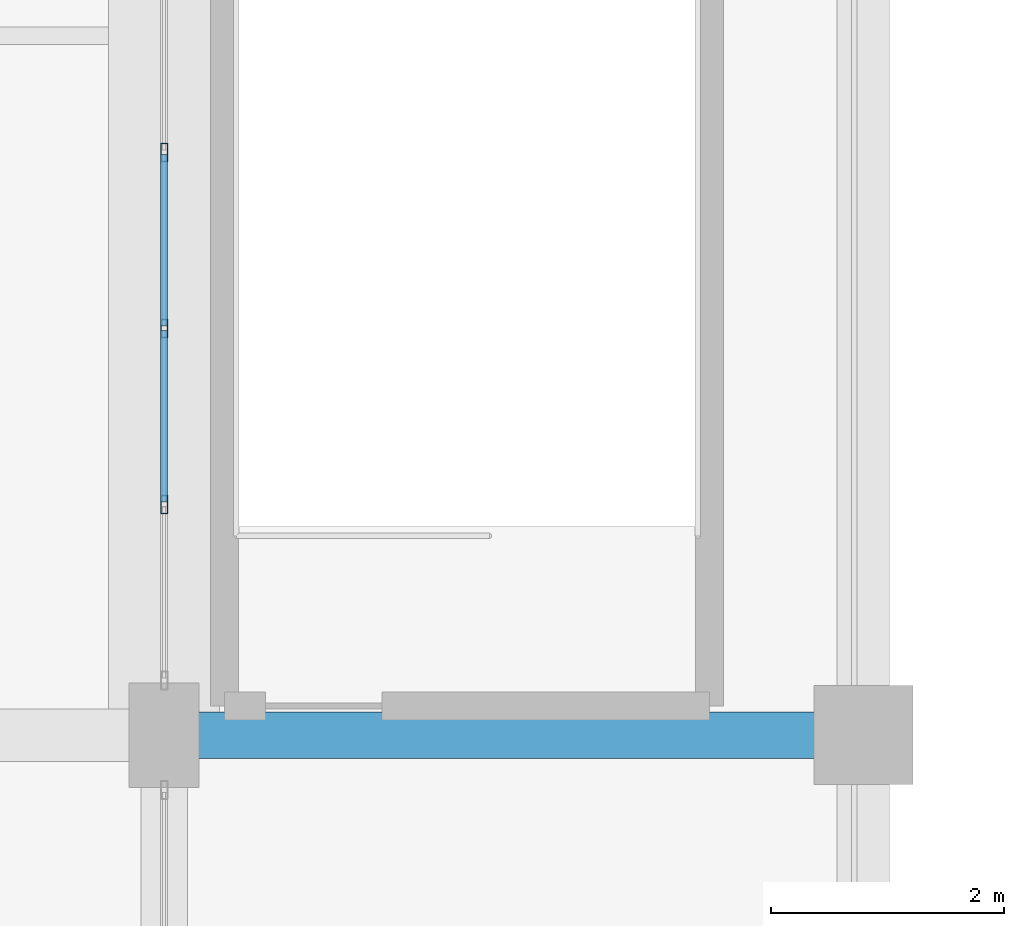
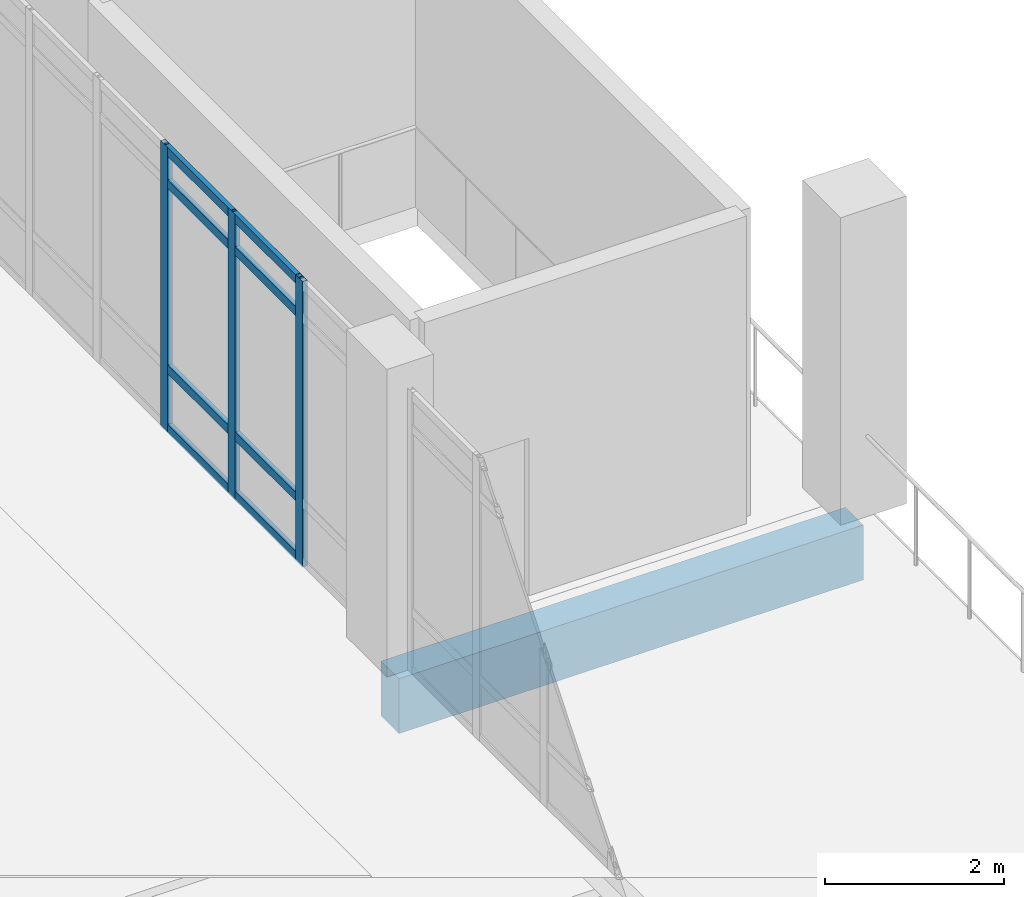
# One storey, part 49 of 161: 11 members, 1 beam, 1 element without a shape of its own.
"""IFC4 building model written with IfcOpenShell, lengths in metres."""

from ifc_helpers import new_model, si_unit, direction, frame, origin, origin_2d, place, context, subcontext, project, spatial, rectangle, hollow_rectangle, extrude, material, layer, layer_set, material_profile, profile_set, type_object, element, aggregate, save


model = new_model("IFC4")

# Units and contexts
model_context = context("Model", 3, precision=1e-05, world=origin(), true_north=direction((0.0, 1.0)))
body_context = subcontext(model_context, "Body", "Model", "MODEL_VIEW")
ifc_project = project(units=[si_unit("LENGTHUNIT", "METRE"), si_unit("AREAUNIT", "SQUARE_METRE"), si_unit("VOLUMEUNIT", "CUBIC_METRE"), si_unit("PLANEANGLEUNIT", "RADIAN"), si_unit("MASSUNIT", "GRAM", prefix="KILO")], contexts=[model_context])

# Site, building, storey
site_placement = place(None, origin())
site = spatial("IfcSite", under=ifc_project, at=site_placement, CompositionType="ELEMENT")
building_placement = place(site_placement, origin())
building = spatial("IfcBuilding", under=site, at=building_placement, Name="Mersad Railyard Sports Hall", CompositionType="ELEMENT")
storey_placement = place(building_placement, frame((0.0, 0.0, 4.800048828125)))
storey = spatial("IfcBuildingStorey", under=building, at=storey_placement, Name="L01", CompositionType="ELEMENT", Elevation=4.800048828125)

# Curtain wall, members
ifc_material_1 = material(Name="Aluminium 6063-T6", Category="aluminium")
ifc_layer = layer(ifc_material_1, 0.159912109375)
ifc_layer_set = layer_set([ifc_layer], Name="Aluminium 6063-T6")
curtain_wall_type = type_object("IfcCurtainWallType", Name="ARC-CW-CW25", PredefinedType="USERDEFINED", material=ifc_layer_set)
curtain_wall_placement = place(storey_placement, origin())
curtain_wall = element("IfcCurtainWall", 1, at=curtain_wall_placement, inside=storey, type_object=curtain_wall_type, Name="Curtain wall CW25-0066", ObjectType="CURTAIN WALL", PredefinedType="USERDEFINED")
ifc_material_profile_1 = material_profile(ifc_material_1, hollow_rectangle(XDim=0.06005859375, YDim=0.159912109375, WallThickness=0.00390625, at=origin_2d()), Name="AL MULLION 60x160x4")
ifc_profile_set_1 = profile_set([ifc_material_profile_1], Name="Aluminium 6063-T6")
member_type_1 = type_object("IfcMemberType", Name="ARC-CW-MUL01", PredefinedType="MULLION", material=ifc_profile_set_1)
member_1_placement = place(storey_placement, frame((131.0, 15.47998046875, -0.02001953125), z_axis=(0.0, 0.0, 1.0), x_axis=(1.0, 0.0, 0.0)))
member_1 = element("IfcMember", 2, at=member_1_placement, type_object=member_type_1, Name="CW25 Mullion 2", PredefinedType="MULLION", context=body_context, shape_type="SweptSolid", body=[
    extrude(hollow_rectangle(XDim=0.06005859375, YDim=0.159912109375, WallThickness=0.00390625, at=origin_2d()), origin(), (0.0, 0.0, 1.0), 3.89990234375),
])
member_2_placement = place(storey_placement, frame((131.0, 16.989990234375, -0.02001953125), z_axis=(0.0, 0.0, 1.0), x_axis=(1.0, 0.0, 0.0)))
member_2 = element("IfcMember", 3, at=member_2_placement, type_object=member_type_1, Name="CW25 Mullion 3", PredefinedType="MULLION", context=body_context, shape_type="SweptSolid", body=[
    extrude(hollow_rectangle(XDim=0.06005859375, YDim=0.159912109375, WallThickness=0.00390625, at=origin_2d()), origin(), (0.0, 0.0, 1.0), 3.89990234375),
])
member_3_placement = place(storey_placement, frame((131.0, 18.5, -0.02001953125), z_axis=(0.0, 0.0, 1.0), x_axis=(1.0, 0.0, 0.0)))
member_3 = element("IfcMember", 4, at=member_3_placement, type_object=member_type_1, Name="CW25 Mullion 4", PredefinedType="MULLION", context=body_context, shape_type="SweptSolid", body=[
    extrude(hollow_rectangle(XDim=0.06005859375, YDim=0.159912109375, WallThickness=0.00390625, at=origin_2d()), origin(), (0.0, 0.0, 1.0), 3.89990234375),
])
ifc_material_profile_2 = material_profile(ifc_material_1, hollow_rectangle(XDim=0.06005859375, YDim=0.1201171875, WallThickness=0.00390625, at=origin_2d()), Name="AL TRANSOM 60x120x4")
ifc_profile_set_2 = profile_set([ifc_material_profile_2], Name="Aluminium 6063-T6")
member_type_2 = type_object("IfcMemberType", Name="ARC-CW-TRN01", PredefinedType="USERDEFINED", material=ifc_profile_set_2)
member_4_placement = place(storey_placement, frame((131.0, 15.5, 0.0400390625), z_axis=(0.0, 1.0, 0.0), x_axis=(-1.0, 0.0, 0.0)))
member_4 = element("IfcMember", 5, at=member_4_placement, type_object=member_type_2, Name="CW25 Transom 1-2", ObjectType="TRANSOM", PredefinedType="USERDEFINED", context=body_context, shape_type="SweptSolid", body=[
    extrude(hollow_rectangle(XDim=0.06005859375, YDim=0.1201171875, WallThickness=0.00390625, at=origin_2d()), origin(), (0.0, 0.0, 1.0), 1.469970703125),
])
member_5_placement = place(storey_placement, frame((131.0, 17.010009765625, 0.0400390625), z_axis=(0.0, 1.0, 0.0), x_axis=(-1.0, 0.0, 0.0)))
member_5 = element("IfcMember", 6, at=member_5_placement, type_object=member_type_2, Name="CW25 Transom 1-3", ObjectType="TRANSOM", PredefinedType="USERDEFINED", context=body_context, shape_type="SweptSolid", body=[
    extrude(hollow_rectangle(XDim=0.06005859375, YDim=0.1201171875, WallThickness=0.00390625, at=origin_2d()), origin(), (0.0, 0.0, 1.0), 1.469970703125),
])
member_6_placement = place(storey_placement, frame((131.0, 15.5, 0.849853515625), z_axis=(0.0, 1.0, 0.0), x_axis=(-1.0, 0.0, 0.0)))
member_6 = element("IfcMember", 7, at=member_6_placement, type_object=member_type_2, Name="CW25 Transom 2-2", ObjectType="TRANSOM", PredefinedType="USERDEFINED", context=body_context, shape_type="SweptSolid", body=[
    extrude(hollow_rectangle(XDim=0.06005859375, YDim=0.1201171875, WallThickness=0.00390625, at=origin_2d()), origin(), (0.0, 0.0, 1.0), 1.469970703125),
])
member_7_placement = place(storey_placement, frame((131.0, 17.010009765625, 0.849853515625), z_axis=(0.0, 1.0, 0.0), x_axis=(-1.0, 0.0, 0.0)))
member_7 = element("IfcMember", 8, at=member_7_placement, type_object=member_type_2, Name="CW25 Transom 2-3", ObjectType="TRANSOM", PredefinedType="USERDEFINED", context=body_context, shape_type="SweptSolid", body=[
    extrude(hollow_rectangle(XDim=0.06005859375, YDim=0.1201171875, WallThickness=0.00390625, at=origin_2d()), origin(), (0.0, 0.0, 1.0), 1.469970703125),
])
member_8_placement = place(storey_placement, frame((131.0, 15.5, 3.3798828125), z_axis=(0.0, 1.0, 0.0), x_axis=(-1.0, 0.0, 0.0)))
member_8 = element("IfcMember", 9, at=member_8_placement, type_object=member_type_2, Name="CW25 Transom 3-2", ObjectType="TRANSOM", PredefinedType="USERDEFINED", context=body_context, shape_type="SweptSolid", body=[
    extrude(hollow_rectangle(XDim=0.06005859375, YDim=0.1201171875, WallThickness=0.00390625, at=origin_2d()), origin(), (0.0, 0.0, 1.0), 1.469970703125),
])
member_9_placement = place(storey_placement, frame((131.0, 17.010009765625, 3.3798828125), z_axis=(0.0, 1.0, 0.0), x_axis=(-1.0, 0.0, 0.0)))
member_9 = element("IfcMember", 10, at=member_9_placement, type_object=member_type_2, Name="CW25 Transom 3-3", ObjectType="TRANSOM", PredefinedType="USERDEFINED", context=body_context, shape_type="SweptSolid", body=[
    extrude(hollow_rectangle(XDim=0.06005859375, YDim=0.1201171875, WallThickness=0.00390625, at=origin_2d()), origin(), (0.0, 0.0, 1.0), 1.469970703125),
])
member_10_placement = place(storey_placement, frame((131.0, 15.5, 3.820068359375), z_axis=(0.0, 1.0, 0.0), x_axis=(-1.0, 0.0, 0.0)))
member_10 = element("IfcMember", 11, at=member_10_placement, type_object=member_type_2, Name="CW25 Transom 4-2", ObjectType="TRANSOM", PredefinedType="USERDEFINED", context=body_context, shape_type="SweptSolid", body=[
    extrude(hollow_rectangle(XDim=0.06005859375, YDim=0.1201171875, WallThickness=0.00390625, at=origin_2d()), origin(), (0.0, 0.0, 1.0), 1.469970703125),
])
member_11_placement = place(storey_placement, frame((131.0, 17.010009765625, 3.820068359375), z_axis=(0.0, 1.0, 0.0), x_axis=(-1.0, 0.0, 0.0)))
member_11 = element("IfcMember", 12, at=member_11_placement, type_object=member_type_2, Name="CW25 Transom 4-3", ObjectType="TRANSOM", PredefinedType="USERDEFINED", context=body_context, shape_type="SweptSolid", body=[
    extrude(hollow_rectangle(XDim=0.06005859375, YDim=0.1201171875, WallThickness=0.00390625, at=origin_2d()), origin(), (0.0, 0.0, 1.0), 1.469970703125),
])
aggregate(curtain_wall, [member_1, member_2, member_3, member_4, member_5, member_6, member_7, member_8, member_9, member_10, member_11])

# Beam
ifc_material_2 = material(Name="Concrete C40/50", Category="concrete")
ifc_material_profile_3 = material_profile(ifc_material_2, rectangle(XDim=0.39990234375, YDim=0.75, at=origin_2d()), Name="RC 400x750")
ifc_profile_set_3 = profile_set([ifc_material_profile_3], Name="Concrete C40/50")
beam_type = type_object("IfcBeamType", Name="STR-BM-B01", PredefinedType="BEAM", material=ifc_profile_set_3)
beam_placement = place(storey_placement, frame((131.0, 13.5, -0.655029296875), z_axis=(1.0, 0.0, 0.0), x_axis=(0.0, 1.0, 0.0)))
element("IfcBeam", 13, at=beam_placement, inside=storey, type_object=beam_type, Name="Beam B01-0628", PredefinedType="BEAM", context=body_context, shape_type="SweptSolid", body=[
    extrude(rectangle(XDim=0.39990234375, YDim=0.75, at=origin_2d()), origin(), (0.0, 0.0, 1.0), 6.0),
])

save(model, "model.ifc")
